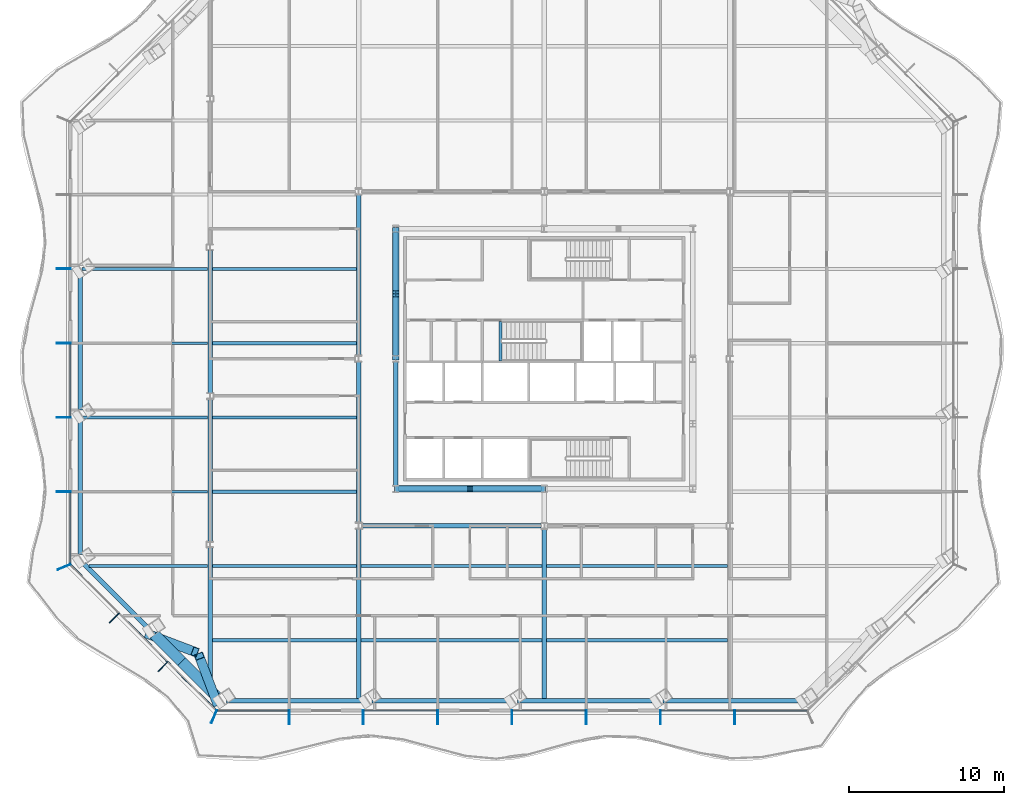
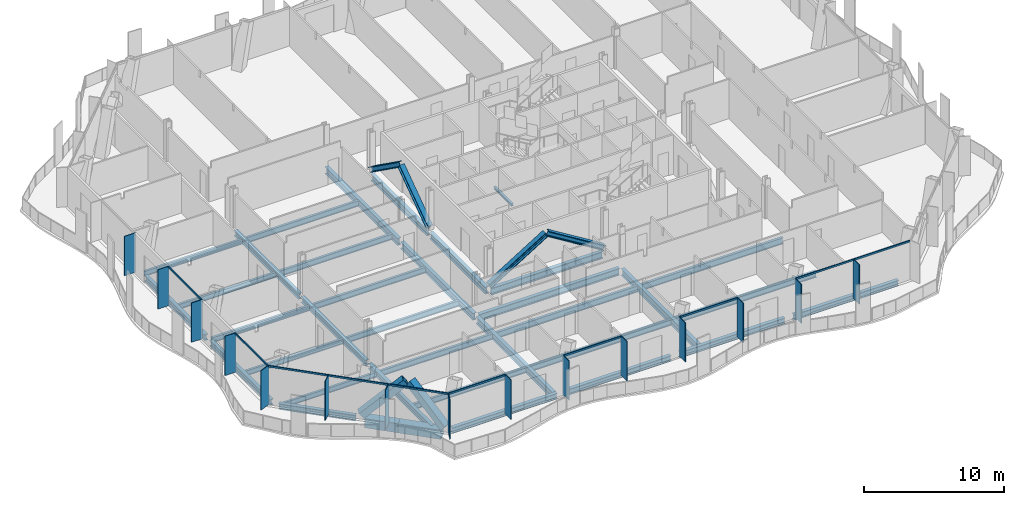
# One storey, part 3 of 22: 36 beams, 31 members, 3 elements without a shape of their own.
"""IFC4 building model written with IfcOpenShell, lengths in metres."""

from ifc_helpers import new_model, si_unit, direction, frame, origin, origin_2d, place, context, subcontext, project, spatial, rectangle, hollow_rectangle, i_section, extrude, material, material_profile, profile_set, type_object, element, aggregate, save


model = new_model("IFC4")

# Units and contexts
model_context = context("Model", 3, precision=1e-05, world=origin(), true_north=direction((0.0, 1.0)))
body_context = subcontext(model_context, "Body", "Model", "MODEL_VIEW")
ifc_project = project(units=[si_unit("LENGTHUNIT", "METRE"), si_unit("AREAUNIT", "SQUARE_METRE"), si_unit("VOLUMEUNIT", "CUBIC_METRE"), si_unit("PLANEANGLEUNIT", "RADIAN"), si_unit("MASSUNIT", "GRAM", prefix="KILO")], contexts=[model_context])

# Site, building, storey
site_placement = place(None, origin())
site = spatial("IfcSite", under=ifc_project, at=site_placement, CompositionType="ELEMENT")
building_placement = place(site_placement, origin())
building = spatial("IfcBuilding", under=site, at=building_placement, Name="Cairn Pilgrim Tower", CompositionType="ELEMENT")
storey_placement = place(building_placement, frame((0.0, 0.0, 105.0)))
storey = spatial("IfcBuildingStorey", under=building, at=storey_placement, Name="L25", CompositionType="ELEMENT", Elevation=105.0)

# Members
ifc_material_1 = material(Name="Structural steel S460M", Category="steel")
ifc_material_profile_1 = material_profile(ifc_material_1, hollow_rectangle(XDim=0.60009765625, YDim=0.60009765625, WallThickness=0.034912109375, at=origin_2d()), Name="BOX 600x600x35")
ifc_profile_set_1 = profile_set([ifc_material_profile_1], Name="Structural steel S460M")
member_type_1 = type_object("IfcMemberType", Name="BOX 600x600x35 BRACE", PredefinedType="BRACE", material=ifc_profile_set_1)
for number, where, z_axis, x_axis, name in (
    (1, (-18.381591796875, -15.39892578125, 0.14990234375), (0.727751620982, -0.276347170473, 0.627702014916), (0.354994993922, 0.934868201561, 0.0), "XB-SW2-S1-1"),
    (2, (-13.958251953125, -19.822265625, 0.14990234375), (-0.276347170473, 0.727751620982, 0.627702014916), (-0.934868201561, -0.354994993922, 0.0), "XB-SW2-S1-2"),
):
    element("IfcMember", number, at=place(storey_placement, frame(where, z_axis=z_axis, x_axis=x_axis)), inside=storey, type_object=member_type_1, Name=name, PredefinedType="BRACE", context=body_context, shape_type="SweptSolid", body=[
        extrude(hollow_rectangle(XDim=0.60009765625, YDim=0.60009765625, WallThickness=0.034912109375, at=origin_2d()), origin(), (0.0, 0.0, 1.0), 4.1337890625),
    ])

# Beams
ifc_material_2 = material(Name="Structural steel S355J2", Category="steel")
ifc_material_profile_2 = material_profile(ifc_material_2, hollow_rectangle(XDim=0.699951171875, YDim=0.800048828125, WallThickness=0.0400390625, at=origin_2d()), Name="BOX 700x800x40")
ifc_profile_set_2 = profile_set([ifc_material_profile_2], Name="Structural steel S355J2")
beam_type_1 = type_object("IfcBeamType", Name="BOX 700x800x40 RING GIRDER", PredefinedType="SPANDREL", material=ifc_profile_set_2)
beam_1_placement = place(storey_placement, frame((-17.99609375, -15.409423828125, -0.550048828125), z_axis=(0.707106781187, -0.707106781187, 0.0), x_axis=(0.707106781187, 0.707106781187, 0.0)))
element("IfcBeam", 3, at=beam_1_placement, inside=storey, type_object=beam_type_1, Name="RG1-SW2-S1-1", PredefinedType="SPANDREL", context=body_context, shape_type="SweptSolid", body=[
    extrude(hollow_rectangle(XDim=0.699951171875, YDim=0.800048828125, WallThickness=0.0400390625, at=origin_2d()), origin(), (0.0, 0.0, 1.0), 2.4912109375),
])
beam_2_placement = place(storey_placement, frame((-16.234619140625, -17.1708984375, -0.550048828125), z_axis=(0.707106781187, -0.707106781187, 0.0), x_axis=(0.707106781187, 0.707106781187, 0.0)))
element("IfcBeam", 4, at=beam_2_placement, inside=storey, type_object=beam_type_1, Name="RG1-SW2-S1-2", PredefinedType="SPANDREL", context=body_context, shape_type="SweptSolid", body=[
    extrude(hollow_rectangle(XDim=0.699951171875, YDim=0.800048828125, WallThickness=0.0400390625, at=origin_2d()), origin(), (0.0, 0.0, 1.0), 3.204345703125),
])

# Curtain wall, members
ifc_material_3 = material(Name="Aluminium alloy 6063-T6 bronze anodised with Bronze tinted laminated low-E glass 8+16+8.8", Category="aluminium")
curtain_wall_type_1 = type_object("IfcCurtainWallType", Name="TOWER STICK CURTAIN WALL NS", PredefinedType="NOTDEFINED", material=ifc_material_3)
curtain_wall_1_placement = place(storey_placement, origin())
curtain_wall_1 = element("IfcCurtainWall", 5, at=curtain_wall_1_placement, inside=storey, type_object=curtain_wall_type_1, Name="Tower Stick Curtain Wall Ns S", PredefinedType="NOTDEFINED")
ifc_material_4 = material(Name="Aluminium alloy 6063-T6 bronze anodised", Category="aluminium")
ifc_material_profile_3 = material_profile(ifc_material_4, rectangle(XDim=0.89990234375, YDim=0.06005859375, at=origin_2d()), Name="FIN MULLION 60x900 BRONZE")
ifc_profile_set_3 = profile_set([ifc_material_profile_3], Name="Aluminium alloy 6063-T6 bronze anodised")
member_type_2 = type_object("IfcMemberType", Name="FIN MULLION 60x900 BRONZE", PredefinedType="MULLION", material=ifc_profile_set_3)
member_1_placement = place(storey_placement, frame((-14.144287109375, -20.7294921875, 0.0), z_axis=(0.0, 0.0, 1.0), x_axis=(-0.382683432365, -0.923879532511, 0.0)))
member_1 = element("IfcMember", 6, at=member_1_placement, type_object=member_type_2, Name="Fin mullion S1", PredefinedType="MULLION", context=body_context, shape_type="SweptSolid", body=[
    extrude(rectangle(XDim=0.89990234375, YDim=0.06005859375, at=origin_2d()), origin(), (0.0, 0.0, 1.0), 3.449951171875),
])
member_2_placement = place(storey_placement, frame((-9.287109375, -20.761474609375, 0.0), z_axis=(0.0, 0.0, 1.0), x_axis=(0.0, -1.0, 0.0)))
member_2 = element("IfcMember", 7, at=member_2_placement, type_object=member_type_2, Name="Fin mullion S2", PredefinedType="MULLION", context=body_context, shape_type="SweptSolid", body=[
    extrude(rectangle(XDim=0.89990234375, YDim=0.06005859375, at=origin_2d()), origin(), (0.0, 0.0, 1.0), 3.449951171875),
])
member_3_placement = place(storey_placement, frame((-4.487060546875, -20.761474609375, 0.0), z_axis=(0.0, 0.0, 1.0), x_axis=(0.0, -1.0, 0.0)))
member_3 = element("IfcMember", 8, at=member_3_placement, type_object=member_type_2, Name="Fin mullion S3", PredefinedType="MULLION", context=body_context, shape_type="SweptSolid", body=[
    extrude(rectangle(XDim=0.89990234375, YDim=0.06005859375, at=origin_2d()), origin(), (0.0, 0.0, 1.0), 3.449951171875),
])
member_4_placement = place(storey_placement, frame((0.31298828125, -20.761474609375, 0.0), z_axis=(0.0, 0.0, 1.0), x_axis=(0.0, -1.0, 0.0)))
member_4 = element("IfcMember", 9, at=member_4_placement, type_object=member_type_2, Name="Fin mullion S4", PredefinedType="MULLION", context=body_context, shape_type="SweptSolid", body=[
    extrude(rectangle(XDim=0.89990234375, YDim=0.06005859375, at=origin_2d()), origin(), (0.0, 0.0, 1.0), 3.449951171875),
])
member_5_placement = place(storey_placement, frame((5.113037109375, -20.761474609375, 0.0), z_axis=(0.0, 0.0, 1.0), x_axis=(0.0, -1.0, 0.0)))
member_5 = element("IfcMember", 10, at=member_5_placement, type_object=member_type_2, Name="Fin mullion S5", PredefinedType="MULLION", context=body_context, shape_type="SweptSolid", body=[
    extrude(rectangle(XDim=0.89990234375, YDim=0.06005859375, at=origin_2d()), origin(), (0.0, 0.0, 1.0), 3.449951171875),
])
member_6_placement = place(storey_placement, frame((9.912841796875, -20.761474609375, 0.0), z_axis=(0.0, 0.0, 1.0), x_axis=(0.0, -1.0, 0.0)))
member_6 = element("IfcMember", 11, at=member_6_placement, type_object=member_type_2, Name="Fin mullion S6", PredefinedType="MULLION", context=body_context, shape_type="SweptSolid", body=[
    extrude(rectangle(XDim=0.89990234375, YDim=0.06005859375, at=origin_2d()), origin(), (0.0, 0.0, 1.0), 3.449951171875),
])
member_7_placement = place(storey_placement, frame((14.712890625, -20.761474609375, 0.0), z_axis=(0.0, 0.0, 1.0), x_axis=(0.0, -1.0, 0.0)))
member_7 = element("IfcMember", 12, at=member_7_placement, type_object=member_type_2, Name="Fin mullion S7", PredefinedType="MULLION", context=body_context, shape_type="SweptSolid", body=[
    extrude(rectangle(XDim=0.89990234375, YDim=0.06005859375, at=origin_2d()), origin(), (0.0, 0.0, 1.0), 3.449951171875),
])
member_8_placement = place(storey_placement, frame((19.512939453125, -20.761474609375, 0.0), z_axis=(0.0, 0.0, 1.0), x_axis=(0.0, -1.0, 0.0)))
member_8 = element("IfcMember", 13, at=member_8_placement, type_object=member_type_2, Name="Fin mullion S8", PredefinedType="MULLION", context=body_context, shape_type="SweptSolid", body=[
    extrude(rectangle(XDim=0.89990234375, YDim=0.06005859375, at=origin_2d()), origin(), (0.0, 0.0, 1.0), 3.449951171875),
])

curtain_wall_type_2 = type_object("IfcCurtainWallType", Name="TOWER STICK CURTAIN WALL EW", PredefinedType="NOTDEFINED", material=ifc_material_3)
curtain_wall_2_placement = place(storey_placement, origin())
curtain_wall_2 = element("IfcCurtainWall", 14, at=curtain_wall_2_placement, inside=storey, type_object=curtain_wall_type_2, Name="Tower Stick Curtain Wall Ew W", PredefinedType="NOTDEFINED")
member_9_placement = place(storey_placement, frame((-23.857177734375, 8.208740234375, 0.0), z_axis=(0.0, 0.0, 1.0), x_axis=(-1.0, 0.0, 0.0)))
member_9 = element("IfcMember", 15, at=member_9_placement, type_object=member_type_2, Name="Fin mullion W3", PredefinedType="MULLION", context=body_context, shape_type="SweptSolid", body=[
    extrude(rectangle(XDim=0.89990234375, YDim=0.06005859375, at=origin_2d()), origin(), (0.0, 0.0, 1.0), 3.449951171875),
])
member_10_placement = place(storey_placement, frame((-23.857177734375, 3.40869140625, 0.0), z_axis=(0.0, 0.0, 1.0), x_axis=(-1.0, 0.0, 0.0)))
member_10 = element("IfcMember", 16, at=member_10_placement, type_object=member_type_2, Name="Fin mullion W4", PredefinedType="MULLION", context=body_context, shape_type="SweptSolid", body=[
    extrude(rectangle(XDim=0.89990234375, YDim=0.06005859375, at=origin_2d()), origin(), (0.0, 0.0, 1.0), 3.449951171875),
])
member_11_placement = place(storey_placement, frame((-23.857177734375, -1.391357421875, 0.0), z_axis=(0.0, 0.0, 1.0), x_axis=(-1.0, 0.0, 0.0)))
member_11 = element("IfcMember", 17, at=member_11_placement, type_object=member_type_2, Name="Fin mullion W5", PredefinedType="MULLION", context=body_context, shape_type="SweptSolid", body=[
    extrude(rectangle(XDim=0.89990234375, YDim=0.06005859375, at=origin_2d()), origin(), (0.0, 0.0, 1.0), 3.449951171875),
])
member_12_placement = place(storey_placement, frame((-23.857177734375, -6.19140625, 0.0), z_axis=(0.0, 0.0, 1.0), x_axis=(-1.0, 0.0, 0.0)))
member_12 = element("IfcMember", 18, at=member_12_placement, type_object=member_type_2, Name="Fin mullion W6", PredefinedType="MULLION", context=body_context, shape_type="SweptSolid", body=[
    extrude(rectangle(XDim=0.89990234375, YDim=0.06005859375, at=origin_2d()), origin(), (0.0, 0.0, 1.0), 3.449951171875),
])

curtain_wall_type_3 = type_object("IfcCurtainWallType", Name="CHAMFER CORNER CURTAIN WALL", PredefinedType="NOTDEFINED", material=ifc_material_3)
curtain_wall_3_placement = place(storey_placement, origin())
curtain_wall_3 = element("IfcCurtainWall", 19, at=curtain_wall_3_placement, inside=storey, type_object=curtain_wall_type_3, Name="Chamfer Corner Curtain Wall SW", PredefinedType="NOTDEFINED")
member_13_placement = place(storey_placement, frame((-23.8251953125, -11.048583984375, 0.0), z_axis=(0.0, 0.0, 1.0), x_axis=(-0.923879532511, -0.382683432365, 0.0)))
member_13 = element("IfcMember", 20, at=member_13_placement, type_object=member_type_2, Name="Fin mullion SW1", PredefinedType="MULLION", context=body_context, shape_type="SweptSolid", body=[
    extrude(rectangle(XDim=0.89990234375, YDim=0.06005859375, at=origin_2d()), origin(), (0.0, 0.0, 1.0), 3.449951171875),
])
member_14_placement = place(storey_placement, frame((-20.582763671875, -14.3359375, 0.0), z_axis=(0.0, 0.0, 1.0), x_axis=(-0.707106781187, -0.707106781187, 0.0)))
member_14 = element("IfcMember", 21, at=member_14_placement, type_object=member_type_2, Name="Fin mullion SW2", PredefinedType="MULLION", context=body_context, shape_type="SweptSolid", body=[
    extrude(rectangle(XDim=0.89990234375, YDim=0.06005859375, at=origin_2d()), origin(), (0.0, 0.0, 1.0), 3.449951171875),
])
member_15_placement = place(storey_placement, frame((-17.431640625, -17.487060546875, 0.0), z_axis=(0.0, 0.0, 1.0), x_axis=(-0.707106781187, -0.707106781187, 0.0)))
member_15 = element("IfcMember", 22, at=member_15_placement, type_object=member_type_2, Name="Fin mullion SW3", PredefinedType="MULLION", context=body_context, shape_type="SweptSolid", body=[
    extrude(rectangle(XDim=0.89990234375, YDim=0.06005859375, at=origin_2d()), origin(), (0.0, 0.0, 1.0), 3.449951171875),
])

# Members
ifc_material_profile_4 = material_profile(ifc_material_1, i_section(OverallWidth=0.408935546875, OverallDepth=0.425048828125, WebThickness=0.03271484375, FlangeThickness=0.052490234375, FilletRadius=0.014892578125, at=origin_2d()), Name="HD 400x421")
ifc_profile_set_4 = profile_set([ifc_material_profile_4], Name="Structural steel S460M")
member_type_3 = type_object("IfcMemberType", Name="HD 400x421 BRACE", PredefinedType="BRACE", material=ifc_profile_set_4)
for number, where, z_axis, x_axis, name in (
    (23, (-2.357666015625, -6.0, 0.10009765625), (0.85108304523, 0.0, 0.525031094434), (0.0, 1.0, 0.0), "KB-1A"),
    (24, (7.15771484375, -6.0, 0.10009765625), (-0.851095219931, 0.0, 0.525011358553), (0.0, -1.0, 0.0), "KB-1B"),
):
    element("IfcMember", number, at=place(storey_placement, frame(where, z_axis=z_axis, x_axis=x_axis)), inside=storey, type_object=member_type_3, Name=name, PredefinedType="BRACE", context=body_context, shape_type="SweptSolid", body=[
        extrude(i_section(OverallWidth=0.408935546875, OverallDepth=0.425048828125, WebThickness=0.03271484375, FlangeThickness=0.052490234375, FilletRadius=0.014892578125, at=origin_2d()), origin(), (0.0, 0.0, 1.0), 5.527587890625),
    ])
for number, where, z_axis, x_axis, name in (
    (25, (-2.39990234375, 10.757568359375, 0.10009765625), (0.0, -0.814281054922, 0.58047081201), (1.0, 0.0, 0.0), "KB-4A"),
    (26, (-2.39990234375, 2.4423828125, 0.10009765625), (0.0, 0.814281054922, 0.58047081201), (-1.0, 0.0, 0.0), "KB-4B"),
):
    element("IfcMember", number, at=place(storey_placement, frame(where, z_axis=z_axis, x_axis=x_axis)), inside=storey, type_object=member_type_3, Name=name, PredefinedType="BRACE", context=body_context, shape_type="SweptSolid", body=[
        extrude(i_section(OverallWidth=0.408935546875, OverallDepth=0.425048828125, WebThickness=0.03271484375, FlangeThickness=0.052490234375, FilletRadius=0.014892578125, at=origin_2d()), origin(), (0.0, 0.0, 1.0), 4.99755859375),
    ])

# Beams
ifc_material_profile_5 = material_profile(ifc_material_2, i_section(OverallWidth=0.300048828125, OverallDepth=0.5, WebThickness=0.014404296875, FlangeThickness=0.028076171875, FilletRadius=0.027099609375, at=origin_2d()), Name="HEB 500")
ifc_profile_set_5 = profile_set([ifc_material_profile_5], Name="Structural steel S355J2")
beam_type_2 = type_object("IfcBeamType", Name="HEB 500 GIRDER", PredefinedType="BEAM", material=ifc_profile_set_5)
beam_3_placement = place(storey_placement, frame((-14.39990234375, -18.823486328125, -0.39990234375), z_axis=(0.0, 1.0, 0.0), x_axis=(-1.0, 0.0, 0.0)))
element("IfcBeam", 27, at=beam_3_placement, inside=storey, type_object=beam_type_2, Name="PG1-1", PredefinedType="BEAM", context=body_context, shape_type="SweptSolid", body=[
    extrude(i_section(OverallWidth=0.300048828125, OverallDepth=0.5, WebThickness=0.014404296875, FlangeThickness=0.028076171875, FilletRadius=0.027099609375, at=origin_2d()), origin(), (0.0, 0.0, 1.0), 9.02392578125),
])
for number, where, z_axis, x_axis, name in (
    (28, (-14.39990234375, -9.400390625, -0.39990234375), (0.0, 1.0, 0.0), (-1.0, 0.0, 0.0), "PG1-2"),
    (29, (-14.39990234375, 0.199462890625, -0.39990234375), (0.0, 1.0, 0.0), (-1.0, 0.0, 0.0), "PG1-3"),
):
    element("IfcBeam", number, at=place(storey_placement, frame(where, z_axis=z_axis, x_axis=x_axis)), inside=storey, type_object=beam_type_2, Name=name, PredefinedType="BEAM", context=body_context, shape_type="SweptSolid", body=[
        extrude(i_section(OverallWidth=0.300048828125, OverallDepth=0.5, WebThickness=0.014404296875, FlangeThickness=0.028076171875, FilletRadius=0.027099609375, at=origin_2d()), origin(), (0.0, 0.0, 1.0), 9.200927734375),
    ])
ifc_material_profile_6 = material_profile(ifc_material_2, i_section(OverallWidth=0.300048828125, OverallDepth=0.5, WebThickness=0.014404296875, FlangeThickness=0.028076171875, FilletRadius=0.027099609375, at=origin_2d()), Name="HEB 500")
ifc_profile_set_6 = profile_set([ifc_material_profile_6], Name="Structural steel S355J2")
beam_type_3 = type_object("IfcBeamType", Name="HEB 500 RING GIRDER", PredefinedType="SPANDREL", material=ifc_profile_set_6)
for number, where, z_axis, x_axis, name in (
    (30, (-13.354248046875, -19.69140625, -0.39990234375), (1.0, 0.0, 0.0), (0.0, 1.0, 0.0), "RG1-S1-S2"),
    (31, (-3.940673828125, -19.69140625, -0.39990234375), (1.0, 0.0, 0.0), (0.0, 1.0, 0.0), "RG1-S2-S3"),
    (32, (5.472900390625, -19.69140625, -0.39990234375), (1.0, 0.0, 0.0), (0.0, 1.0, 0.0), "RG1-S3-S4"),
    (33, (14.886474609375, -19.69140625, -0.39990234375), (1.0, 0.0, 0.0), (0.0, 1.0, 0.0), "RG1-S4-SE1"),
):
    element("IfcBeam", number, at=place(storey_placement, frame(where, z_axis=z_axis, x_axis=x_axis)), inside=storey, type_object=beam_type_3, Name=name, PredefinedType="SPANDREL", context=body_context, shape_type="SweptSolid", body=[
        extrude(i_section(OverallWidth=0.300048828125, OverallDepth=0.5, WebThickness=0.014404296875, FlangeThickness=0.028076171875, FilletRadius=0.027099609375, at=origin_2d()), origin(), (0.0, 0.0, 1.0), 8.693603515625),
    ])
for number, where, z_axis, x_axis, name in (
    (34, (-22.787109375, 7.724365234375, -0.39990234375), (0.0, -1.0, 0.0), (1.0, 0.0, 0.0), "RG1-W2-W3"),
    (35, (-22.787109375, -1.627197265625, -0.39990234375), (0.0, -1.0, 0.0), (1.0, 0.0, 0.0), "RG1-W3-SW1"),
):
    element("IfcBeam", number, at=place(storey_placement, frame(where, z_axis=z_axis, x_axis=x_axis)), inside=storey, type_object=beam_type_3, Name=name, PredefinedType="SPANDREL", context=body_context, shape_type="SweptSolid", body=[
        extrude(i_section(OverallWidth=0.300048828125, OverallDepth=0.5, WebThickness=0.014404296875, FlangeThickness=0.028076171875, FilletRadius=0.027099609375, at=origin_2d()), origin(), (0.0, 0.0, 1.0), 8.63134765625),
    ])
beam_4_placement = place(storey_placement, frame((-22.532470703125, -10.873046875, -0.39990234375), z_axis=(0.707106781187, -0.707106781187, 0.0), x_axis=(0.707106781187, 0.707106781187, 0.0)))
element("IfcBeam", 36, at=beam_4_placement, inside=storey, type_object=beam_type_3, Name="RG1-SW1-SW2", PredefinedType="SPANDREL", context=body_context, shape_type="SweptSolid", body=[
    extrude(i_section(OverallWidth=0.300048828125, OverallDepth=0.5, WebThickness=0.014404296875, FlangeThickness=0.028076171875, FilletRadius=0.027099609375, at=origin_2d()), origin(), (0.0, 0.0, 1.0), 5.695556640625),
])
ifc_material_profile_7 = material_profile(ifc_material_2, i_section(OverallWidth=0.300048828125, OverallDepth=0.60009765625, WebThickness=0.015380859375, FlangeThickness=0.030029296875, FilletRadius=0.027099609375, at=origin_2d()), Name="HEB 600")
ifc_profile_set_7 = profile_set([ifc_material_profile_7], Name="Structural steel S355J2")
beam_type_4 = type_object("IfcBeamType", Name="HEB 600 CORE BEAM", PredefinedType="BEAM", material=ifc_profile_set_7)
beam_5_placement = place(storey_placement, frame((-2.209228515625, -6.0, -0.449951171875), z_axis=(1.0, 0.0, 0.0), x_axis=(0.0, 1.0, 0.0)))
element("IfcBeam", 37, at=beam_5_placement, inside=storey, type_object=beam_type_4, Name="CB-1", PredefinedType="BEAM", context=body_context, shape_type="SweptSolid", body=[
    extrude(i_section(OverallWidth=0.300048828125, OverallDepth=0.60009765625, WebThickness=0.015380859375, FlangeThickness=0.030029296875, FilletRadius=0.027099609375, at=origin_2d()), origin(), (0.0, 0.0, 1.0), 9.218505859375),
])
for number, where, z_axis, x_axis, name in (
    (38, (-2.39990234375, 10.609130859375, -0.449951171875), (0.0, -1.0, 0.0), (1.0, 0.0, 0.0), "CB-7"),
    (39, (-2.39990234375, 2.209228515625, -0.449951171875), (0.0, -1.0, 0.0), (1.0, 0.0, 0.0), "CB-8"),
):
    element("IfcBeam", number, at=place(storey_placement, frame(where, z_axis=z_axis, x_axis=x_axis)), inside=storey, type_object=beam_type_4, Name=name, PredefinedType="BEAM", context=body_context, shape_type="SweptSolid", body=[
        extrude(i_section(OverallWidth=0.300048828125, OverallDepth=0.60009765625, WebThickness=0.015380859375, FlangeThickness=0.030029296875, FilletRadius=0.027099609375, at=origin_2d()), origin(), (0.0, 0.0, 1.0), 8.018310546875),
    ])
ifc_material_profile_8 = material_profile(ifc_material_2, i_section(OverallWidth=0.300048828125, OverallDepth=0.60009765625, WebThickness=0.015380859375, FlangeThickness=0.030029296875, FilletRadius=0.027099609375, at=origin_2d()), Name="HEB 600")
ifc_profile_set_8 = profile_set([ifc_material_profile_8], Name="Structural steel S355J2")
beam_type_5 = type_object("IfcBeamType", Name="HEB 600 GIRDER", PredefinedType="BEAM", material=ifc_profile_set_8)
beam_6_placement = place(storey_placement, frame((-4.800048828125, -19.5712890625, -0.449951171875), z_axis=(0.0, 1.0, 0.0), x_axis=(-1.0, 0.0, 0.0)))
element("IfcBeam", 40, at=beam_6_placement, inside=storey, type_object=beam_type_5, Name="PG2-1", PredefinedType="BEAM", context=body_context, shape_type="SweptSolid", body=[
    extrude(i_section(OverallWidth=0.300048828125, OverallDepth=0.60009765625, WebThickness=0.015380859375, FlangeThickness=0.030029296875, FilletRadius=0.027099609375, at=origin_2d()), origin(), (0.0, 0.0, 1.0), 10.966796875),
])
for number, where, z_axis, x_axis, name in (
    (41, (-4.800048828125, -8.195556640625, -0.449951171875), (0.0, 1.0, 0.0), (-1.0, 0.0, 0.0), "PG2-2"),
    (42, (-4.800048828125, 2.6044921875, -0.449951171875), (0.0, 1.0, 0.0), (-1.0, 0.0, 0.0), "PG2-3"),
):
    element("IfcBeam", number, at=place(storey_placement, frame(where, z_axis=z_axis, x_axis=x_axis)), inside=storey, type_object=beam_type_5, Name=name, PredefinedType="BEAM", context=body_context, shape_type="SweptSolid", body=[
        extrude(i_section(OverallWidth=0.300048828125, OverallDepth=0.60009765625, WebThickness=0.015380859375, FlangeThickness=0.030029296875, FilletRadius=0.027099609375, at=origin_2d()), origin(), (0.0, 0.0, 1.0), 10.39111328125),
    ])
beam_7_placement = place(storey_placement, frame((7.199951171875, -19.5712890625, -0.449951171875), z_axis=(0.0, 1.0, 0.0), x_axis=(-1.0, 0.0, 0.0)))
element("IfcBeam", 43, at=beam_7_placement, inside=storey, type_object=beam_type_5, Name="PG3-1", PredefinedType="BEAM", context=body_context, shape_type="SweptSolid", body=[
    extrude(i_section(OverallWidth=0.300048828125, OverallDepth=0.60009765625, WebThickness=0.015380859375, FlangeThickness=0.030029296875, FilletRadius=0.027099609375, at=origin_2d()), origin(), (0.0, 0.0, 1.0), 10.966796875),
])
ifc_material_profile_9 = material_profile(ifc_material_2, i_section(OverallWidth=0.300048828125, OverallDepth=0.60009765625, WebThickness=0.015380859375, FlangeThickness=0.030029296875, FilletRadius=0.027099609375, at=origin_2d()), Name="HEB 600")
ifc_profile_set_9 = profile_set([ifc_material_profile_9], Name="Structural steel S355J2")
beam_type_6 = type_object("IfcBeamType", Name="HEB 600 INNER GIRDER", PredefinedType="BEAM", material=ifc_profile_set_9)
beam_8_placement = place(storey_placement, frame((-4.595458984375, -8.39990234375, -0.449951171875), z_axis=(1.0, 0.0, 0.0), x_axis=(0.0, 1.0, 0.0)))
element("IfcBeam", 44, at=beam_8_placement, inside=storey, type_object=beam_type_6, Name="IG1-1", PredefinedType="BEAM", context=body_context, shape_type="SweptSolid", body=[
    extrude(i_section(OverallWidth=0.300048828125, OverallDepth=0.60009765625, WebThickness=0.015380859375, FlangeThickness=0.030029296875, FilletRadius=0.027099609375, at=origin_2d()), origin(), (0.0, 0.0, 1.0), 11.591064453125),
])
ifc_material_profile_10 = material_profile(ifc_material_2, i_section(OverallWidth=0.18994140625, OverallDepth=0.449951171875, WebThickness=0.009521484375, FlangeThickness=0.0146484375, FilletRadius=0.02099609375, at=origin_2d()), Name="IPE 450")
ifc_profile_set_10 = profile_set([ifc_material_profile_10], Name="Structural steel S355J2")
beam_type_7 = type_object("IfcBeamType", Name="IPE 450 SECONDARY BEAM", PredefinedType="JOIST", material=ifc_profile_set_10)
beam_9_placement = place(storey_placement, frame((-22.232177734375, -10.991455078125, -0.375), z_axis=(1.0, 0.0, 0.0), x_axis=(0.0, 1.0, 0.0)))
element("IfcBeam", 45, at=beam_9_placement, inside=storey, type_object=beam_type_7, Name="SB2-1", PredefinedType="JOIST", context=body_context, shape_type="SweptSolid", body=[
    extrude(i_section(OverallWidth=0.18994140625, OverallDepth=0.449951171875, WebThickness=0.009521484375, FlangeThickness=0.0146484375, FilletRadius=0.02099609375, at=origin_2d()), origin(), (0.0, 0.0, 1.0), 7.68212890625),
])
for number, where, z_axis, x_axis, name in (
    (46, (-22.6669921875, -6.19140625, -0.375), (1.0, 0.0, 0.0), (0.0, 1.0, 0.0), "SB3-1"),
    (47, (-22.6669921875, -1.391357421875, -0.375), (1.0, 0.0, 0.0), (0.0, 1.0, 0.0), "SB4-1"),
    (48, (-22.6669921875, 3.40869140625, -0.375), (1.0, 0.0, 0.0), (0.0, 1.0, 0.0), "SB5-1"),
    (49, (-22.6669921875, 8.20849609375, -0.375), (1.0, 0.0, 0.0), (0.0, 1.0, 0.0), "SB6-1"),
):
    element("IfcBeam", number, at=place(storey_placement, frame(where, z_axis=z_axis, x_axis=x_axis)), inside=storey, type_object=beam_type_7, Name=name, PredefinedType="JOIST", context=body_context, shape_type="SweptSolid", body=[
        extrude(i_section(OverallWidth=0.18994140625, OverallDepth=0.449951171875, WebThickness=0.009521484375, FlangeThickness=0.0146484375, FilletRadius=0.02099609375, at=origin_2d()), origin(), (0.0, 0.0, 1.0), 8.116943359375),
    ])
ifc_material_profile_11 = material_profile(ifc_material_2, i_section(OverallWidth=0.199951171875, OverallDepth=0.5, WebThickness=0.01025390625, FlangeThickness=0.01611328125, FilletRadius=0.02099609375, at=origin_2d()), Name="IPE 500")
ifc_profile_set_11 = profile_set([ifc_material_profile_11], Name="Structural steel S355J2")
beam_type_8 = type_object("IfcBeamType", Name="IPE 500 SECONDARY BEAM", PredefinedType="JOIST", material=ifc_profile_set_11)
for number, where, z_axis, x_axis, name in (
    (50, (-14.25, -15.79150390625, -0.39990234375), (1.0, 0.0, 0.0), (0.0, 1.0, 0.0), "SB1-1"),
    (51, (-14.25, -10.991455078125, -0.39990234375), (1.0, 0.0, 0.0), (0.0, 1.0, 0.0), "SB2-2"),
    (52, (-14.25, -6.19140625, -0.39990234375), (1.0, 0.0, 0.0), (0.0, 1.0, 0.0), "SB3-2"),
    (53, (-14.25, -1.391357421875, -0.39990234375), (1.0, 0.0, 0.0), (0.0, 1.0, 0.0), "SB4-2"),
    (54, (-14.25, 3.40869140625, -0.39990234375), (1.0, 0.0, 0.0), (0.0, 1.0, 0.0), "SB5-2"),
    (55, (-14.25, 8.20849609375, -0.39990234375), (1.0, 0.0, 0.0), (0.0, 1.0, 0.0), "SB6-2"),
):
    element("IfcBeam", number, at=place(storey_placement, frame(where, z_axis=z_axis, x_axis=x_axis)), inside=storey, type_object=beam_type_8, Name=name, PredefinedType="JOIST", context=body_context, shape_type="SweptSolid", body=[
        extrude(i_section(OverallWidth=0.199951171875, OverallDepth=0.5, WebThickness=0.01025390625, FlangeThickness=0.01611328125, FilletRadius=0.02099609375, at=origin_2d()), origin(), (0.0, 0.0, 1.0), 9.300048828125),
    ])
ifc_material_profile_12 = material_profile(ifc_material_2, i_section(OverallWidth=0.2099609375, OverallDepth=0.550048828125, WebThickness=0.010986328125, FlangeThickness=0.01708984375, FilletRadius=0.02392578125, at=origin_2d()), Name="IPE 550")
ifc_profile_set_12 = profile_set([ifc_material_profile_12], Name="Structural steel S355J2")
beam_type_9 = type_object("IfcBeamType", Name="IPE 550 SECONDARY BEAM", PredefinedType="JOIST", material=ifc_profile_set_12)
for number, where, z_axis, x_axis, name in (
    (56, (-4.64990234375, -15.79150390625, -0.425048828125), (1.0, 0.0, 0.0), (0.0, 1.0, 0.0), "SB1-2"),
    (57, (7.35009765625, -15.79150390625, -0.425048828125), (1.0, 0.0, 0.0), (0.0, 1.0, 0.0), "SB1-3"),
    (58, (-4.64990234375, -10.991455078125, -0.425048828125), (1.0, 0.0, 0.0), (0.0, 1.0, 0.0), "SB2-3"),
    (59, (7.35009765625, -10.991455078125, -0.425048828125), (1.0, 0.0, 0.0), (0.0, 1.0, 0.0), "SB2-4"),
):
    element("IfcBeam", number, at=place(storey_placement, frame(where, z_axis=z_axis, x_axis=x_axis)), inside=storey, type_object=beam_type_9, Name=name, PredefinedType="JOIST", context=body_context, shape_type="SweptSolid", body=[
        extrude(i_section(OverallWidth=0.2099609375, OverallDepth=0.550048828125, WebThickness=0.010986328125, FlangeThickness=0.01708984375, FilletRadius=0.02392578125, at=origin_2d()), origin(), (0.0, 0.0, 1.0), 11.699951171875),
    ])
ifc_material_profile_13 = material_profile(ifc_material_2, i_section(OverallWidth=0.199951171875, OverallDepth=0.199951171875, WebThickness=0.009033203125, FlangeThickness=0.014892578125, FilletRadius=0.01806640625, at=origin_2d()), Name="HE 200 B")
ifc_profile_set_13 = profile_set([ifc_material_profile_13], Name="Structural steel S355J2")
beam_type_10 = type_object("IfcBeamType", Name="STAIR LANDING BEAM HE 200 B", PredefinedType="BEAM", material=ifc_profile_set_13)
beam_10_placement = place(storey_placement, frame((4.37548828125, 2.27490234375, -0.25), z_axis=(0.0, 1.0, 0.0), x_axis=(-1.0, 0.0, 0.0)))
element("IfcBeam", 60, at=beam_10_placement, inside=storey, type_object=beam_type_10, Name="STAIR LANDING BEAM LD-HE200B", PredefinedType="BEAM", context=body_context, shape_type="SweptSolid", body=[
    extrude(i_section(OverallWidth=0.199951171875, OverallDepth=0.199951171875, WebThickness=0.009033203125, FlangeThickness=0.014892578125, FilletRadius=0.01806640625, at=origin_2d()), origin(), (0.0, 0.0, 1.0), 2.550048828125),
])

# Member
ifc_material_profile_14 = material_profile(ifc_material_4, rectangle(XDim=0.080078125, YDim=0.14990234375, at=origin_2d()), Name="TRANSOM 80x150 BRONZE")
ifc_profile_set_14 = profile_set([ifc_material_profile_14], Name="Aluminium alloy 6063-T6 bronze anodised")
member_type_4 = type_object("IfcMemberType", Name="TRANSOM 80x150 BRONZE", PredefinedType="USERDEFINED", material=ifc_profile_set_14)
member_16_placement = place(storey_placement, frame((-13.943603515625, -20.34130859375, 3.375), z_axis=(1.0, 0.0, 0.0), x_axis=(0.0, 1.0, 0.0)))
member_16 = element("IfcMember", 61, at=member_16_placement, type_object=member_type_4, Name="Transom S1", ObjectType="TRANSOM", PredefinedType="USERDEFINED", context=body_context, shape_type="SweptSolid", body=[
    extrude(rectangle(XDim=0.080078125, YDim=0.14990234375, at=origin_2d()), origin(), (0.0, 0.0, 1.0), 4.62646484375),
])

member_17_placement = place(storey_placement, frame((-4.45703125, -20.34130859375, 3.375), z_axis=(1.0, 0.0, 0.0), x_axis=(0.0, 1.0, 0.0)))
member_17 = element("IfcMember", 62, at=member_17_placement, type_object=member_type_4, Name="Transom S3", ObjectType="TRANSOM", PredefinedType="USERDEFINED", context=body_context, shape_type="SweptSolid", body=[
    extrude(rectangle(XDim=0.080078125, YDim=0.14990234375, at=origin_2d()), origin(), (0.0, 0.0, 1.0), 4.739990234375),
])

member_18_placement = place(storey_placement, frame((5.142822265625, -20.34130859375, 3.375), z_axis=(1.0, 0.0, 0.0), x_axis=(0.0, 1.0, 0.0)))
member_18 = element("IfcMember", 63, at=member_18_placement, type_object=member_type_4, Name="Transom S5", ObjectType="TRANSOM", PredefinedType="USERDEFINED", context=body_context, shape_type="SweptSolid", body=[
    extrude(rectangle(XDim=0.080078125, YDim=0.14990234375, at=origin_2d()), origin(), (0.0, 0.0, 1.0), 4.739990234375),
])

member_19_placement = place(storey_placement, frame((14.742919921875, -20.34130859375, 3.375), z_axis=(1.0, 0.0, 0.0), x_axis=(0.0, 1.0, 0.0)))
member_19 = element("IfcMember", 64, at=member_19_placement, type_object=member_type_4, Name="Transom S7", ObjectType="TRANSOM", PredefinedType="USERDEFINED", context=body_context, shape_type="SweptSolid", body=[
    extrude(rectangle(XDim=0.080078125, YDim=0.14990234375, at=origin_2d()), origin(), (0.0, 0.0, 1.0), 4.739990234375),
])

member_20_placement = place(storey_placement, frame((19.54296875, -20.34130859375, 3.375), z_axis=(1.0, 0.0, 0.0), x_axis=(0.0, 1.0, 0.0)))
member_20 = element("IfcMember", 65, at=member_20_placement, type_object=member_type_4, Name="Transom S8", ObjectType="TRANSOM", PredefinedType="USERDEFINED", context=body_context, shape_type="SweptSolid", body=[
    extrude(rectangle(XDim=0.080078125, YDim=0.14990234375, at=origin_2d()), origin(), (0.0, 0.0, 1.0), 4.62646484375),
])

aggregate(curtain_wall_1, [member_1, member_2, member_3, member_4, member_5, member_6, member_7, member_8, member_16, member_17, member_18, member_19, member_20])

member_21_placement = place(storey_placement, frame((-23.43701171875, 3.378662109375, 3.375), z_axis=(0.0, -1.0, 0.0), x_axis=(1.0, 0.0, 0.0)))
member_21 = element("IfcMember", 66, at=member_21_placement, type_object=member_type_4, Name="Transom W4", ObjectType="TRANSOM", PredefinedType="USERDEFINED", context=body_context, shape_type="SweptSolid", body=[
    extrude(rectangle(XDim=0.080078125, YDim=0.14990234375, at=origin_2d()), origin(), (0.0, 0.0, 1.0), 4.739990234375),
])

member_22_placement = place(storey_placement, frame((-23.43701171875, -6.221435546875, 3.375), z_axis=(0.0, -1.0, 0.0), x_axis=(1.0, 0.0, 0.0)))
member_22 = element("IfcMember", 67, at=member_22_placement, type_object=member_type_4, Name="Transom W6", ObjectType="TRANSOM", PredefinedType="USERDEFINED", context=body_context, shape_type="SweptSolid", body=[
    extrude(rectangle(XDim=0.080078125, YDim=0.14990234375, at=origin_2d()), origin(), (0.0, 0.0, 1.0), 4.62646484375),
])

aggregate(curtain_wall_2, [member_9, member_10, member_11, member_12, member_21, member_22])

member_23_placement = place(storey_placement, frame((-23.40869140625, -10.916015625, 3.375), z_axis=(0.70707895165, -0.707134609628, 0.0), x_axis=(0.707134609628, 0.70707895165, 0.0)))
member_23 = element("IfcMember", 68, at=member_23_placement, type_object=member_type_4, Name="Transom SW1", ObjectType="TRANSOM", PredefinedType="USERDEFINED", context=body_context, shape_type="SweptSolid", body=[
    extrude(rectangle(XDim=0.080078125, YDim=0.14990234375, at=origin_2d()), origin(), (0.0, 0.0, 1.0), 4.386474609375),
])

member_24_placement = place(storey_placement, frame((-20.2646484375, -14.060302734375, 3.375), z_axis=(0.707106781187, -0.707106781187, 0.0), x_axis=(0.707106781187, 0.707106781187, 0.0)))
member_24 = element("IfcMember", 69, at=member_24_placement, type_object=member_type_4, Name="Transom SW2", ObjectType="TRANSOM", PredefinedType="USERDEFINED", context=body_context, shape_type="SweptSolid", body=[
    extrude(rectangle(XDim=0.080078125, YDim=0.14990234375, at=origin_2d()), origin(), (0.0, 0.0, 1.0), 4.396240234375),
])

member_25_placement = place(storey_placement, frame((-17.113525390625, -17.21142578125, 3.375), z_axis=(0.707134609628, -0.70707895165, 0.0), x_axis=(0.70707895165, 0.707134609628, 0.0)))
member_25 = element("IfcMember", 70, at=member_25_placement, type_object=member_type_4, Name="Transom SW3", ObjectType="TRANSOM", PredefinedType="USERDEFINED", context=body_context, shape_type="SweptSolid", body=[
    extrude(rectangle(XDim=0.080078125, YDim=0.14990234375, at=origin_2d()), origin(), (0.0, 0.0, 1.0), 4.386474609375),
])

aggregate(curtain_wall_3, [member_13, member_14, member_15, member_23, member_24, member_25])

save(model, "model.ifc")
